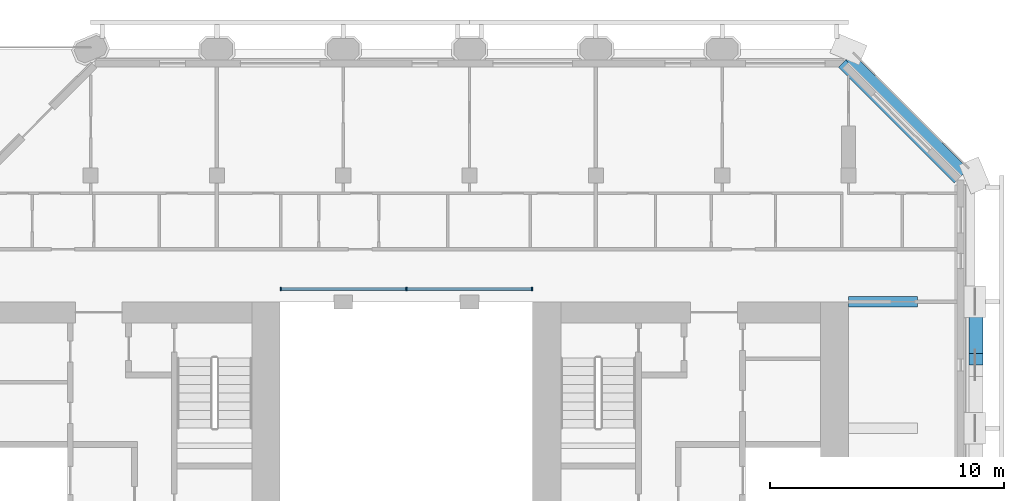
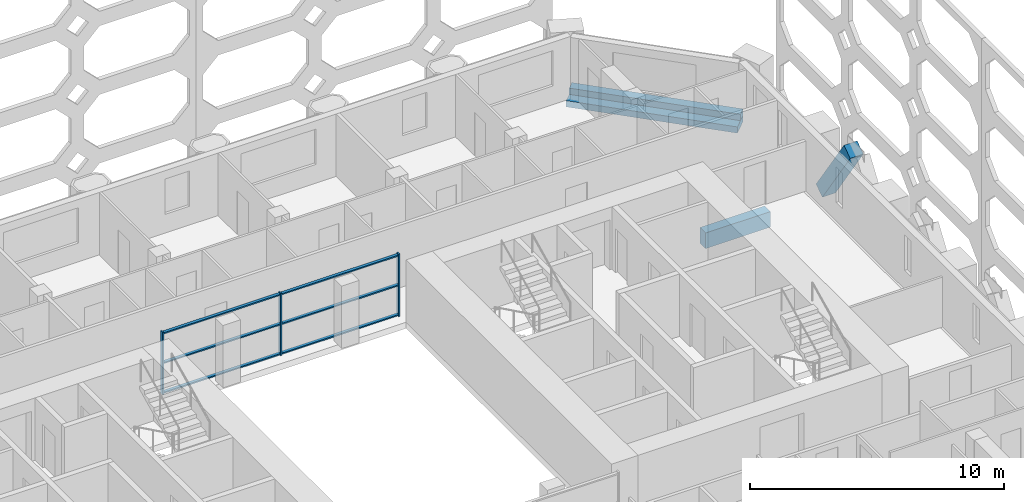
# One storey, part 4 of 15: 10 members, 3 beams, 1 element without a shape of its own.
"""IFC4 building model written with IfcOpenShell, lengths in metres."""

from ifc_helpers import new_model, si_unit, direction, frame, origin, origin_2d, place, context, subcontext, project, spatial, rectangle, extrude, material, material_profile, profile_set, type_object, element, aggregate, save


model = new_model("IFC4")

# Units and contexts
model_context = context("Model", 3, precision=1e-05, world=origin(), true_north=direction((0.0, 1.0)))
body_context = subcontext(model_context, "Body", "Model", "MODEL_VIEW")
ifc_project = project(units=[si_unit("LENGTHUNIT", "METRE"), si_unit("AREAUNIT", "SQUARE_METRE"), si_unit("VOLUMEUNIT", "CUBIC_METRE"), si_unit("PLANEANGLEUNIT", "RADIAN"), si_unit("MASSUNIT", "GRAM", prefix="KILO")], contexts=[model_context])

# Site, building, storey
site_placement = place(None, origin())
site = spatial("IfcSite", under=ifc_project, at=site_placement, CompositionType="ELEMENT")
building_placement = place(site_placement, origin())
building = spatial("IfcBuilding", under=site, at=building_placement, Name="Tabaq Tower and Sports Hall", CompositionType="ELEMENT")
storey_placement = place(building_placement, frame((0.0, 0.0, 265.300048828125)))
storey = spatial("IfcBuildingStorey", under=building, at=storey_placement, Name="L64", CompositionType="ELEMENT", Elevation=265.300048828125)

# Curtain wall, members
ifc_material_1 = material(Name="Aluminium alloy 6063-T6 framed glazing", Category="aluminium")
curtain_wall_type = type_object("IfcCurtainWallType", Name="CW1 curtain wall", PredefinedType="USERDEFINED", material=ifc_material_1)
curtain_wall_placement = place(storey_placement, origin())
curtain_wall = element("IfcCurtainWall", 1, at=curtain_wall_placement, inside=storey, type_object=curtain_wall_type, Name="Atrium glazing L64 N", ObjectType="ATRIUM ENCLOSURE", PredefinedType="USERDEFINED")
ifc_material_2 = material(Name="Aluminium alloy 6063-T6", Category="aluminium")
ifc_material_profile_1 = material_profile(ifc_material_2, rectangle(XDim=0.159912109375, YDim=0.06005859375, at=origin_2d()), Name="MULLION 160x60")
ifc_profile_set_1 = profile_set([ifc_material_profile_1], Name="Aluminium alloy 6063-T6")
member_type_1 = type_object("IfcMemberType", Name="CW1 mullion 160x60", PredefinedType="MULLION", material=ifc_profile_set_1)
member_1_placement = place(storey_placement, frame((18.929931640625, 32.949951171875, 0.0), z_axis=(0.0, 0.0, 1.0), x_axis=(0.0, 1.0, 0.0)))
member_1 = element("IfcMember", 2, at=member_1_placement, type_object=member_type_1, Name="CW1 mullion 1", PredefinedType="MULLION", context=body_context, shape_type="SweptSolid", body=[
    extrude(rectangle(XDim=0.159912109375, YDim=0.06005859375, at=origin_2d()), origin(), (0.0, 0.0, 1.0), 3.0),
])
member_2_placement = place(storey_placement, frame((24.300048828125, 32.949951171875, 0.0), z_axis=(0.0, 0.0, 1.0), x_axis=(0.0, 1.0, 0.0)))
member_2 = element("IfcMember", 3, at=member_2_placement, type_object=member_type_1, Name="CW1 mullion 2", PredefinedType="MULLION", context=body_context, shape_type="SweptSolid", body=[
    extrude(rectangle(XDim=0.159912109375, YDim=0.06005859375, at=origin_2d()), origin(), (0.0, 0.0, 1.0), 3.0),
])
member_3_placement = place(storey_placement, frame((29.669921875, 32.949951171875, 0.0), z_axis=(0.0, 0.0, 1.0), x_axis=(0.0, 1.0, 0.0)))
member_3 = element("IfcMember", 4, at=member_3_placement, type_object=member_type_1, Name="CW1 mullion 3", PredefinedType="MULLION", context=body_context, shape_type="SweptSolid", body=[
    extrude(rectangle(XDim=0.159912109375, YDim=0.06005859375, at=origin_2d()), origin(), (0.0, 0.0, 1.0), 3.0),
])
ifc_material_3 = material(Name="Aluminium alloy 6063-T6", Category="aluminium")
ifc_material_profile_2 = material_profile(ifc_material_3, rectangle(XDim=0.139892578125, YDim=0.06005859375, at=origin_2d()), Name="TRANSOM 140x60")
ifc_profile_set_2 = profile_set([ifc_material_profile_2], Name="Aluminium alloy 6063-T6")
member_type_2 = type_object("IfcMemberType", Name="CW1 transom 140x60", PredefinedType="USERDEFINED", material=ifc_profile_set_2)
member_4_placement = place(storey_placement, frame((18.9599609375, 32.949951171875, 0.070068359375), z_axis=(1.0, 0.0, 0.0), x_axis=(0.0, 1.0, 0.0)))
member_4 = element("IfcMember", 5, at=member_4_placement, type_object=member_type_2, Name="CW1 transom 1.1", ObjectType="TRANSOM", PredefinedType="USERDEFINED", context=body_context, shape_type="SweptSolid", body=[
    extrude(rectangle(XDim=0.139892578125, YDim=0.06005859375, at=origin_2d()), origin(), (0.0, 0.0, 1.0), 5.31005859375),
])
member_5_placement = place(storey_placement, frame((18.9599609375, 32.949951171875, 1.5), z_axis=(1.0, 0.0, 0.0), x_axis=(0.0, 1.0, 0.0)))
member_5 = element("IfcMember", 6, at=member_5_placement, type_object=member_type_2, Name="CW1 transom 1.2", ObjectType="TRANSOM", PredefinedType="USERDEFINED", context=body_context, shape_type="SweptSolid", body=[
    extrude(rectangle(XDim=0.139892578125, YDim=0.06005859375, at=origin_2d()), origin(), (0.0, 0.0, 1.0), 5.31005859375),
])
member_6_placement = place(storey_placement, frame((18.9599609375, 32.949951171875, 2.929931640625), z_axis=(1.0, 0.0, 0.0), x_axis=(0.0, 1.0, 0.0)))
member_6 = element("IfcMember", 7, at=member_6_placement, type_object=member_type_2, Name="CW1 transom 1.3", ObjectType="TRANSOM", PredefinedType="USERDEFINED", context=body_context, shape_type="SweptSolid", body=[
    extrude(rectangle(XDim=0.139892578125, YDim=0.06005859375, at=origin_2d()), origin(), (0.0, 0.0, 1.0), 5.31005859375),
])
member_7_placement = place(storey_placement, frame((24.330078125, 32.949951171875, 0.070068359375), z_axis=(1.0, 0.0, 0.0), x_axis=(0.0, 1.0, 0.0)))
member_7 = element("IfcMember", 8, at=member_7_placement, type_object=member_type_2, Name="CW1 transom 2.1", ObjectType="TRANSOM", PredefinedType="USERDEFINED", context=body_context, shape_type="SweptSolid", body=[
    extrude(rectangle(XDim=0.139892578125, YDim=0.06005859375, at=origin_2d()), origin(), (0.0, 0.0, 1.0), 5.309814453125),
])
member_8_placement = place(storey_placement, frame((24.330078125, 32.949951171875, 1.5), z_axis=(1.0, 0.0, 0.0), x_axis=(0.0, 1.0, 0.0)))
member_8 = element("IfcMember", 9, at=member_8_placement, type_object=member_type_2, Name="CW1 transom 2.2", ObjectType="TRANSOM", PredefinedType="USERDEFINED", context=body_context, shape_type="SweptSolid", body=[
    extrude(rectangle(XDim=0.139892578125, YDim=0.06005859375, at=origin_2d()), origin(), (0.0, 0.0, 1.0), 5.309814453125),
])
member_9_placement = place(storey_placement, frame((24.330078125, 32.949951171875, 2.929931640625), z_axis=(1.0, 0.0, 0.0), x_axis=(0.0, 1.0, 0.0)))
member_9 = element("IfcMember", 10, at=member_9_placement, type_object=member_type_2, Name="CW1 transom 2.3", ObjectType="TRANSOM", PredefinedType="USERDEFINED", context=body_context, shape_type="SweptSolid", body=[
    extrude(rectangle(XDim=0.139892578125, YDim=0.06005859375, at=origin_2d()), origin(), (0.0, 0.0, 1.0), 5.309814453125),
])
aggregate(curtain_wall, [member_1, member_2, member_3, member_4, member_5, member_6, member_7, member_8, member_9])

# Beams
ifc_material_4 = material(Name="Concrete C40/50", Category="concrete")
ifc_material_profile_3 = material_profile(ifc_material_4, rectangle(XDim=0.449951171875, YDim=0.75, at=origin_2d()), Name="CB 450x750")
ifc_profile_set_3 = profile_set([ifc_material_profile_3], Name="Concrete C40/50")
beam_type_1 = type_object("IfcBeamType", Name="PT CANTILEVER BEAM CB 450x750 C40/50", PredefinedType="BEAM", material=ifc_profile_set_3)
beam_1_placement = place(storey_placement, frame((46.14990234375, 32.39990234375, -0.675048828125), z_axis=(-1.0, 0.0, 0.0), x_axis=(0.0, -1.0, 0.0)))
element("IfcBeam", 11, at=beam_1_placement, inside=storey, type_object=beam_type_1, Name="Cantilever Beam L64 E6 span 1", PredefinedType="BEAM", context=body_context, shape_type="SweptSolid", body=[
    extrude(rectangle(XDim=0.449951171875, YDim=0.75, at=origin_2d()), origin(), (0.0, 0.0, 1.0), 2.949951171875),
])
ifc_material_5 = material(Name="Concrete C40/50", Category="concrete")
ifc_material_profile_4 = material_profile(ifc_material_5, rectangle(XDim=0.85009765625, YDim=0.300048828125, at=origin_2d()), Name="EB 850x300")
ifc_profile_set_4 = profile_set([ifc_material_profile_4], Name="Concrete C40/50")
beam_type_2 = type_object("IfcBeamType", Name="PT EDGE BEAM EB 850x300 C40/50", PredefinedType="SPANDREL", material=ifc_profile_set_4)
beam_2_placement = place(storey_placement, frame((48.01513671875, 37.78369140625, -0.150146484375), z_axis=(-0.707106781187, 0.707106781187, 0.0), x_axis=(-0.707106781187, -0.707106781187, 0.0)))
element("IfcBeam", 12, at=beam_2_placement, inside=storey, type_object=beam_type_2, Name="Edge Beam L64 5", PredefinedType="SPANDREL", context=body_context, shape_type="SweptSolid", body=[
    extrude(rectangle(XDim=0.85009765625, YDim=0.300048828125, at=origin_2d()), origin(), (0.0, 0.0, 1.0), 6.98486328125),
])
ifc_material_6 = material(Name="Concrete C40/50", Category="concrete")
ifc_material_profile_5 = material_profile(ifc_material_6, rectangle(XDim=0.39990234375, YDim=0.300048828125, at=origin_2d()), Name="EU 400x300")
ifc_profile_set_5 = profile_set([ifc_material_profile_5], Name="Concrete C40/50")
beam_type_3 = type_object("IfcBeamType", Name="PT EDGE UPSTAND EU 400x300 C40/50", PredefinedType="BEAM", material=ifc_profile_set_5)
beam_3_placement = place(storey_placement, frame((48.17431640625, 37.94287109375, 0.14990234375), z_axis=(-0.707106781187, 0.707106781187, 0.0), x_axis=(-0.707106781187, -0.707106781187, 0.0)))
element("IfcBeam", 13, at=beam_3_placement, inside=storey, type_object=beam_type_3, Name="Edge Upstand L64 5", PredefinedType="BEAM", context=body_context, shape_type="SweptSolid", body=[
    extrude(rectangle(XDim=0.39990234375, YDim=0.300048828125, at=origin_2d()), origin(), (0.0, 0.0, 1.0), 6.98486328125),
])

# Member
ifc_material_7 = material(Name="Concrete C40/50", Category="concrete")
ifc_material_profile_6 = material_profile(ifc_material_7, rectangle(XDim=0.60009765625, YDim=0.60009765625, at=origin_2d()), Name="TRANSFER BAND BRACE 600x600")
ifc_profile_set_6 = profile_set([ifc_material_profile_6], Name="Concrete C40/50")
member_type_3 = type_object("IfcMemberType", Name="RC TRANSFER BAND BRACE 600x600 C40/50", PredefinedType="BRACE", material=ifc_profile_set_6)
member_10_placement = place(storey_placement, frame((48.64990234375, 32.14990234375, -0.050048828125), z_axis=(0.0, -0.56652615464, 0.824043758613), x_axis=(1.0, 0.0, 0.0)))
element("IfcMember", 14, at=member_10_placement, inside=storey, type_object=member_type_3, Name="Transfer Band Brace L64 East 16", PredefinedType="BRACE", context=body_context, shape_type="SweptSolid", body=[
    extrude(rectangle(XDim=0.60009765625, YDim=0.60009765625, at=origin_2d()), origin(), (0.0, 0.0, 1.0), 3.88330078125),
])

save(model, "model.ifc")
